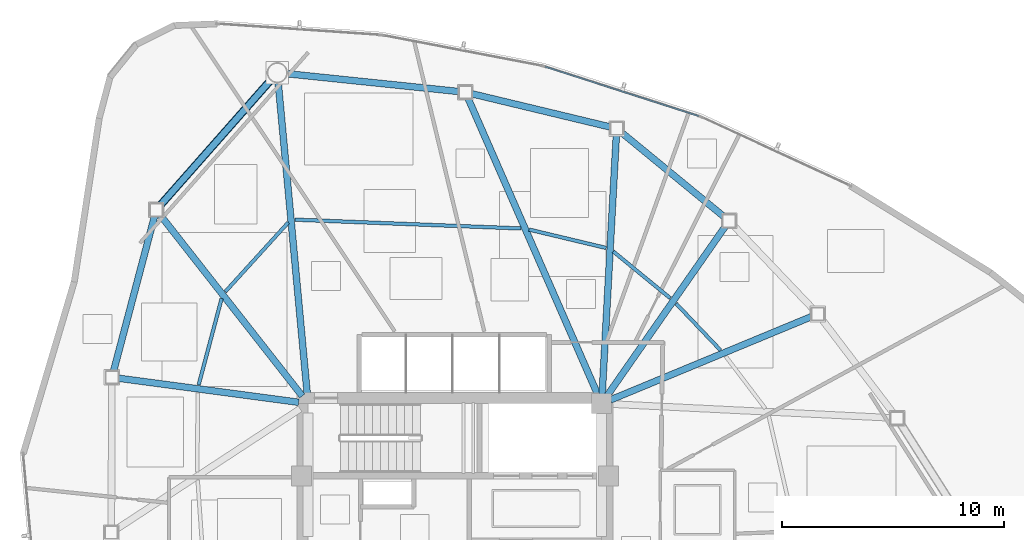
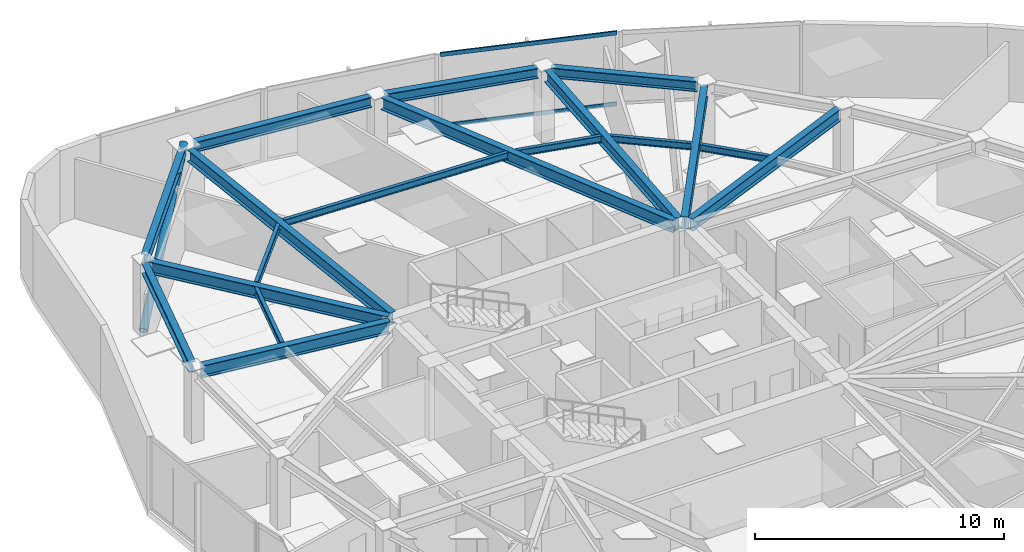
# One storey, part 7 of 17: 18 beams, 3 members, 1 element without a shape of its own.
"""IFC4 building model written with IfcOpenShell, lengths in metres."""

from ifc_helpers import new_model, si_unit, direction, frame, origin, origin_2d, place, context, subcontext, project, spatial, hollow_rectangle, hollow_circle, i_section, extrude, source, transform, mapped, material, layer, layer_set, material_profile, profile_set, type_object, type_shapes, element, aggregate, save


model = new_model("IFC4")

# Units and contexts
model_context = context("Model", 3, precision=1e-05, world=origin(), true_north=direction((0.0, 1.0)))
body_context = subcontext(model_context, "Body", "Model", "MODEL_VIEW")
ifc_project = project(units=[si_unit("LENGTHUNIT", "METRE"), si_unit("AREAUNIT", "SQUARE_METRE"), si_unit("VOLUMEUNIT", "CUBIC_METRE"), si_unit("PLANEANGLEUNIT", "RADIAN"), si_unit("MASSUNIT", "GRAM", prefix="KILO")], contexts=[model_context])

# Site, building, storey
site_placement = place(None, origin())
site = spatial("IfcSite", under=ifc_project, at=site_placement, CompositionType="ELEMENT")
building_placement = place(site_placement, origin())
building = spatial("IfcBuilding", under=site, at=building_placement, Name="Tavelor Broadcast Tower", CompositionType="ELEMENT")
storey_placement = place(building_placement, frame((0.0, 0.0, 196.449951171875)))
storey = spatial("IfcBuildingStorey", under=building, at=storey_placement, Name="L47", CompositionType="ELEMENT", Elevation=196.449951171875)

# Beams
ifc_material_1 = material(Name="Steel S355", Category="steel")
ifc_material_profile_1 = material_profile(ifc_material_1, i_section(OverallWidth=0.159912109375, OverallDepth=0.330078125, WebThickness=0.007568359375, FlangeThickness=0.011474609375, at=origin_2d()), Name="IPE 330")
ifc_profile_set_1 = profile_set([ifc_material_profile_1], Name="Steel S355")
beam_type_1 = type_object("IfcBeamType", Name="Composite Floor Joist T4 IPE 330", PredefinedType="JOIST", material=ifc_profile_set_1)
beam_1_placement = place(storey_placement, frame((42.505615234375, 59.343505859375, 3.385009765625), z_axis=(-0.672852052716, -0.739777071256, 0.0), x_axis=(0.739777071256, -0.672852052716, 0.0)))
element("IfcBeam", 1, at=beam_1_placement, inside=storey, type_object=beam_type_1, Name="L47 Secondary Composite Floor Joist 01", PredefinedType="JOIST", context=body_context, shape_type="SweptSolid", body=[
    extrude(i_section(OverallWidth=0.159912109375, OverallDepth=0.330078125, WebThickness=0.007568359375, FlangeThickness=0.011474609375, at=origin_2d()), origin(), (0.0, 0.0, 1.0), 4.202392578125),
])
beam_2_placement = place(storey_placement, frame((39.509521484375, 55.92578125, 3.385009765625), z_axis=(-0.256963595852, -0.966421083383, 0.0), x_axis=(0.966421083383, -0.256963595852, 0.0)))
element("IfcBeam", 2, at=beam_2_placement, inside=storey, type_object=beam_type_1, Name="L47 Secondary Composite Floor Joist 02", PredefinedType="JOIST", context=body_context, shape_type="SweptSolid", body=[
    extrude(i_section(OverallWidth=0.159912109375, OverallDepth=0.330078125, WebThickness=0.007568359375, FlangeThickness=0.011474609375, at=origin_2d()), origin(), (0.0, 0.0, 1.0), 4.021728515625),
])
beam_3_placement = place(storey_placement, frame((61.946044921875, 53.59814453125, 3.385009765625), z_axis=(-0.689642531817, 0.724149969487, 0.0), x_axis=(-0.724149969487, -0.689642531817, 0.0)))
element("IfcBeam", 3, at=beam_3_placement, inside=storey, type_object=beam_type_1, Name="L47 Secondary Composite Floor Joist 15", PredefinedType="JOIST", context=body_context, shape_type="SweptSolid", body=[
    extrude(i_section(OverallWidth=0.159912109375, OverallDepth=0.330078125, WebThickness=0.007568359375, FlangeThickness=0.011474609375, at=origin_2d()), origin(), (0.0, 0.0, 1.0), 2.893798828125),
])
beam_4_placement = place(storey_placement, frame((59.685791015625, 55.939453125, 3.385009765625), z_axis=(-0.773655391446, 0.633606609251, 0.0), x_axis=(-0.633606609251, -0.773655391446, 0.0)))
element("IfcBeam", 4, at=beam_4_placement, inside=storey, type_object=beam_type_1, Name="L47 Secondary Composite Floor Joist 16", PredefinedType="JOIST", context=body_context, shape_type="SweptSolid", body=[
    extrude(i_section(OverallWidth=0.159912109375, OverallDepth=0.330078125, WebThickness=0.007568359375, FlangeThickness=0.011474609375, at=origin_2d()), origin(), (0.0, 0.0, 1.0), 3.315673828125),
])
beam_5_placement = place(storey_placement, frame((56.804443359375, 58.197021484375, 3.385009765625), z_axis=(-0.972674676245, 0.232172294196, 0.0), x_axis=(-0.232172294196, -0.972674676245, 0.0)))
element("IfcBeam", 5, at=beam_5_placement, inside=storey, type_object=beam_type_1, Name="L47 Secondary Composite Floor Joist 17", PredefinedType="JOIST", context=body_context, shape_type="SweptSolid", body=[
    extrude(i_section(OverallWidth=0.159912109375, OverallDepth=0.330078125, WebThickness=0.007568359375, FlangeThickness=0.011474609375, at=origin_2d()), origin(), (0.0, 0.0, 1.0), 3.56884765625),
])
beam_6_placement = place(storey_placement, frame((52.976318359375, 59.07470703125, 3.385009765625), z_axis=(-0.999243420365, 0.038891989637, 0.0), x_axis=(-0.038891989637, -0.999243420365, 0.0)))
element("IfcBeam", 6, at=beam_6_placement, inside=storey, type_object=beam_type_1, Name="L47 Secondary Composite Floor Joist 18", PredefinedType="JOIST", context=body_context, shape_type="SweptSolid", body=[
    extrude(i_section(OverallWidth=0.159912109375, OverallDepth=0.330078125, WebThickness=0.007568359375, FlangeThickness=0.011474609375, at=origin_2d()), origin(), (0.0, 0.0, 1.0), 10.17578125),
])
ifc_material_profile_2 = material_profile(ifc_material_1, i_section(OverallWidth=0.300048828125, OverallDepth=0.5, WebThickness=0.014404296875, FlangeThickness=0.028076171875, at=origin_2d()), Name="HEB 500")
ifc_profile_set_2 = profile_set([ifc_material_profile_2], Name="Steel S355")
beam_type_2 = type_object("IfcBeamType", Name="Perimeter Spandrel Beam T4 HEB 500", PredefinedType="SPANDREL", material=ifc_profile_set_2)
beam_7_placement = place(storey_placement, frame((41.720947265625, 65.7509765625, 3.300048828125), z_axis=(-0.661625943185, -0.749834055845, 0.0), x_axis=(0.749834055845, -0.661625943185, 0.0)))
element("IfcBeam", 7, at=beam_7_placement, inside=storey, type_object=beam_type_2, Name="L47 Framed-Tube Ring Spandrel 01", PredefinedType="SPANDREL", context=body_context, shape_type="SweptSolid", body=[
    extrude(i_section(OverallWidth=0.300048828125, OverallDepth=0.5, WebThickness=0.014404296875, FlangeThickness=0.028076171875, at=origin_2d()), origin(), (0.0, 0.0, 1.0), 7.500732421875),
])
beam_8_placement = place(storey_placement, frame((36.493896484375, 59.63232421875, 3.300048828125), z_axis=(-0.255762341211, -0.96673968824, 0.0), x_axis=(0.96673968824, -0.255762341211, 0.0)))
element("IfcBeam", 8, at=beam_8_placement, inside=storey, type_object=beam_type_2, Name="L47 Framed-Tube Ring Spandrel 02", PredefinedType="SPANDREL", context=body_context, shape_type="SweptSolid", body=[
    extrude(i_section(OverallWidth=0.300048828125, OverallDepth=0.5, WebThickness=0.014404296875, FlangeThickness=0.028076171875, at=origin_2d()), origin(), (0.0, 0.0, 1.0), 7.214599609375),
])
beam_9_placement = place(storey_placement, frame((62.1083984375, 59.59912109375, 3.300048828125), z_axis=(-0.772717651191, 0.634749896839, 0.0), x_axis=(-0.634749896839, -0.772717651191, 0.0)))
element("IfcBeam", 9, at=beam_9_placement, inside=storey, type_object=beam_type_2, Name="L47 Framed-Tube Ring Spandrel 16", PredefinedType="SPANDREL", context=body_context, shape_type="SweptSolid", body=[
    extrude(i_section(OverallWidth=0.300048828125, OverallDepth=0.5, WebThickness=0.014404296875, FlangeThickness=0.028076171875, at=origin_2d()), origin(), (0.0, 0.0, 1.0), 5.965087890625),
])
beam_10_placement = place(storey_placement, frame((56.99658203125, 63.635498046875, 3.300048828125), z_axis=(-0.972354853411, 0.233508113452, 0.0), x_axis=(-0.233508113452, -0.972354853411, 0.0)))
element("IfcBeam", 10, at=beam_10_placement, inside=storey, type_object=beam_type_2, Name="L47 Framed-Tube Ring Spandrel 17", PredefinedType="SPANDREL", context=body_context, shape_type="SweptSolid", body=[
    extrude(i_section(OverallWidth=0.300048828125, OverallDepth=0.5, WebThickness=0.014404296875, FlangeThickness=0.028076171875, at=origin_2d()), origin(), (0.0, 0.0, 1.0), 6.421630859375),
])
beam_11_placement = place(storey_placement, frame((50.18603515625, 65.23193359375, 3.300048828125), z_axis=(-0.99466284774, 0.103178579783, 0.0), x_axis=(-0.103178579783, -0.99466284774, 0.0)))
element("IfcBeam", 11, at=beam_11_placement, inside=storey, type_object=beam_type_2, Name="L47 Framed-Tube Ring Spandrel 18", PredefinedType="SPANDREL", context=body_context, shape_type="SweptSolid", body=[
    extrude(i_section(OverallWidth=0.300048828125, OverallDepth=0.5, WebThickness=0.014404296875, FlangeThickness=0.028076171875, at=origin_2d()), origin(), (0.0, 0.0, 1.0), 7.780029296875),
])

# Member
ifc_material_profile_3 = material_profile(ifc_material_1, hollow_circle(Radius=0.177734375, WallThickness=0.01611328125, at=origin_2d()), Name="CHS 355.6x16")
ifc_profile_set_3 = profile_set([ifc_material_profile_3], Name="Steel S355")
member_type_1 = type_object("IfcMemberType", Name="Perimeter Tube Brace T4 CHS 355.6x16", PredefinedType="BRACE", material=ifc_profile_set_3)
member_1_placement = place(storey_placement, frame((36.567626953125, 59.91064453125, 0.0), z_axis=(0.607484590691, 0.688484352459, 0.396171387776), x_axis=(-0.74983872131, 0.661620655681, 0.0)))
element("IfcMember", 12, at=member_1_placement, inside=storey, type_object=member_type_1, Name="L47 Corner Tube Diagonal Brace 1", PredefinedType="BRACE", context=body_context, shape_type="SweptSolid", body=[
    extrude(hollow_circle(Radius=0.177734375, WallThickness=0.01611328125, at=origin_2d()), origin(), (0.0, 0.0, 1.0), 8.9609375),
])

# Beams
ifc_material_profile_4 = material_profile(ifc_material_1, i_section(OverallWidth=0.300048828125, OverallDepth=0.590087890625, WebThickness=0.012939453125, FlangeThickness=0.02490234375, at=origin_2d()), Name="HEA 600")
ifc_profile_set_4 = profile_set([ifc_material_profile_4], Name="Steel S355")
beam_type_3 = type_object("IfcBeamType", Name="Radial Floor Girder T4 HEA 600", PredefinedType="BEAM", material=ifc_profile_set_4)
beam_12_placement = place(storey_placement, frame((43.35986328125, 51.630126953125, 3.255126953125), z_axis=(-0.092926929372, 0.995672931136, 0.0), x_axis=(-0.995672931136, -0.092926929372, 0.0)))
element("IfcBeam", 13, at=beam_12_placement, inside=storey, type_object=beam_type_3, Name="L47 Radial Primary Floor Girder 01", PredefinedType="BEAM", context=body_context, shape_type="SweptSolid", body=[
    extrude(i_section(OverallWidth=0.300048828125, OverallDepth=0.590087890625, WebThickness=0.012939453125, FlangeThickness=0.02490234375, at=origin_2d()), origin(), (0.0, 0.0, 1.0), 14.073974609375),
])
beam_13_placement = place(storey_placement, frame((43.13330078125, 51.539794921875, 3.255126953125), z_axis=(-0.617155684101, 0.786841065007, 0.0), x_axis=(-0.786841065007, -0.617155684101, 0.0)))
element("IfcBeam", 14, at=beam_13_placement, inside=storey, type_object=beam_type_3, Name="L47 Radial Primary Floor Girder 02", PredefinedType="BEAM", context=body_context, shape_type="SweptSolid", body=[
    extrude(i_section(OverallWidth=0.300048828125, OverallDepth=0.590087890625, WebThickness=0.012939453125, FlangeThickness=0.02490234375, at=origin_2d()), origin(), (0.0, 0.0, 1.0), 10.3505859375),
])
beam_14_placement = place(storey_placement, frame((42.9716796875, 51.257080078125, 3.255126953125), z_axis=(-0.991183810809, 0.132493974169, 0.0), x_axis=(-0.132493974169, -0.991183810809, 0.0)))
element("IfcBeam", 15, at=beam_14_placement, inside=storey, type_object=beam_type_3, Name="L47 Radial Primary Floor Girder 03", PredefinedType="BEAM", context=body_context, shape_type="SweptSolid", body=[
    extrude(i_section(OverallWidth=0.300048828125, OverallDepth=0.590087890625, WebThickness=0.012939453125, FlangeThickness=0.02490234375, at=origin_2d()), origin(), (0.0, 0.0, 1.0), 8.183349609375),
])
beam_15_placement = place(storey_placement, frame((56.9990234375, 51.365478515625, 3.255126953125), z_axis=(0.923827405628, 0.38280925356, 0.0), x_axis=(-0.38280925356, 0.923827405628, 0.0)))
element("IfcBeam", 16, at=beam_15_placement, inside=storey, type_object=beam_type_3, Name="L47 Radial Primary Floor Girder 15", PredefinedType="BEAM", context=body_context, shape_type="SweptSolid", body=[
    extrude(i_section(OverallWidth=0.300048828125, OverallDepth=0.590087890625, WebThickness=0.012939453125, FlangeThickness=0.02490234375, at=origin_2d()), origin(), (0.0, 0.0, 1.0), 9.8037109375),
])
beam_16_placement = place(storey_placement, frame((56.84716796875, 51.55419921875, 3.255126953125), z_axis=(0.572078083908, 0.820199162346, 0.0), x_axis=(-0.820199162346, 0.572078083908, 0.0)))
element("IfcBeam", 17, at=beam_16_placement, inside=storey, type_object=beam_type_3, Name="L47 Radial Primary Floor Girder 16", PredefinedType="BEAM", context=body_context, shape_type="SweptSolid", body=[
    extrude(i_section(OverallWidth=0.300048828125, OverallDepth=0.590087890625, WebThickness=0.012939453125, FlangeThickness=0.02490234375, at=origin_2d()), origin(), (0.0, 0.0, 1.0), 9.29736328125),
])
beam_17_placement = place(storey_placement, frame((56.62353515625, 51.63134765625, 3.255126953125), z_axis=(0.054637852805, 0.998506236856, 0.0), x_axis=(-0.998506236856, 0.054637852805, 0.0)))
element("IfcBeam", 18, at=beam_17_placement, inside=storey, type_object=beam_type_3, Name="L47 Radial Primary Floor Girder 17", PredefinedType="BEAM", context=body_context, shape_type="SweptSolid", body=[
    extrude(i_section(OverallWidth=0.300048828125, OverallDepth=0.590087890625, WebThickness=0.012939453125, FlangeThickness=0.02490234375, at=origin_2d()), origin(), (0.0, 0.0, 1.0), 11.666748046875),
])
beam_18_placement = place(storey_placement, frame((56.4267578125, 51.595703125, 3.255126953125), z_axis=(-0.4008997337, 0.916121937036, 0.0), x_axis=(-0.916121937036, -0.4008997337, 0.0)))
element("IfcBeam", 19, at=beam_18_placement, inside=storey, type_object=beam_type_3, Name="L47 Radial Primary Floor Girder 18", PredefinedType="BEAM", context=body_context, shape_type="SweptSolid", body=[
    extrude(i_section(OverallWidth=0.300048828125, OverallDepth=0.590087890625, WebThickness=0.012939453125, FlangeThickness=0.02490234375, at=origin_2d()), origin(), (0.0, 0.0, 1.0), 14.564453125),
])

# Curtain wall, members
ifc_material_2 = material(Name="Architectural Anodized Aluminium", Category="aluminium")
ifc_layer = layer(ifc_material_2, 0.18994140625)
ifc_layer_set = layer_set([ifc_layer], Name="Architectural Anodized Aluminium")
curtain_wall_type = type_object("IfcCurtainWallType", Name="Tower Mid-Zone Acoustic Curtain Wall CW03", PredefinedType="NOTDEFINED", material=ifc_layer_set)
curtain_wall_placement = place(storey_placement, origin())
curtain_wall = element("IfcCurtainWall", 20, at=curtain_wall_placement, inside=storey, type_object=curtain_wall_type, Name="L47 Curtain Wall CW03 Run 514", PredefinedType="NOTDEFINED")
ifc_material_profile_5 = material_profile(ifc_material_2, hollow_rectangle(XDim=0.068115234375, YDim=0.18994140625, WallThickness=0.02197265625, at=origin_2d()), Name="RHS 68x190x22")
ifc_profile_set_5 = profile_set([ifc_material_profile_5], Name="Architectural Anodized Aluminium")
member_type_2 = type_object("IfcMemberType", Name="CW03 Extruded Aluminium Transom 68x190", PredefinedType="USERDEFINED", material=ifc_profile_set_5)
shared_shape = source(origin(), body_context, "Body", "SweptSolid", [
    extrude(hollow_rectangle(XDim=0.068115234375, YDim=0.18994140625, WallThickness=0.02197265625, at=origin_2d()), origin(), (0.0, 0.0, 1.0), 7.253662109375),
])
type_shapes(member_type_2, [shared_shape])
member_2_placement = place(storey_placement, frame((60.96875, 64.128173828125, 0.033935546875), z_axis=(-0.951995287511, 0.306112679509, 0.0), x_axis=(-0.306112679509, -0.951995287511, 0.0)))
member_2 = element("IfcMember", 21, at=member_2_placement, type_object=member_type_2, Name="CW03 transom 1.1", ObjectType="TRANSOM", PredefinedType="USERDEFINED", context=body_context, shape_type="MappedRepresentation", body=[
    mapped(shared_shape, transform((0.0, 0.0, 0.0), scale=1.0)),
])
member_3_placement = place(storey_placement, frame((60.96875, 64.128173828125, 3.51611328125), z_axis=(-0.951995287511, 0.306112679509, 0.0), x_axis=(-0.306112679509, -0.951995287511, 0.0)))
member_3 = element("IfcMember", 22, at=member_3_placement, type_object=member_type_2, Name="CW03 transom 1.2", ObjectType="TRANSOM", PredefinedType="USERDEFINED", context=body_context, shape_type="MappedRepresentation", body=[
    mapped(shared_shape, transform((0.0, 0.0, 0.0), scale=1.0)),
])
aggregate(curtain_wall, [member_2, member_3])

save(model, "model.ifc")
